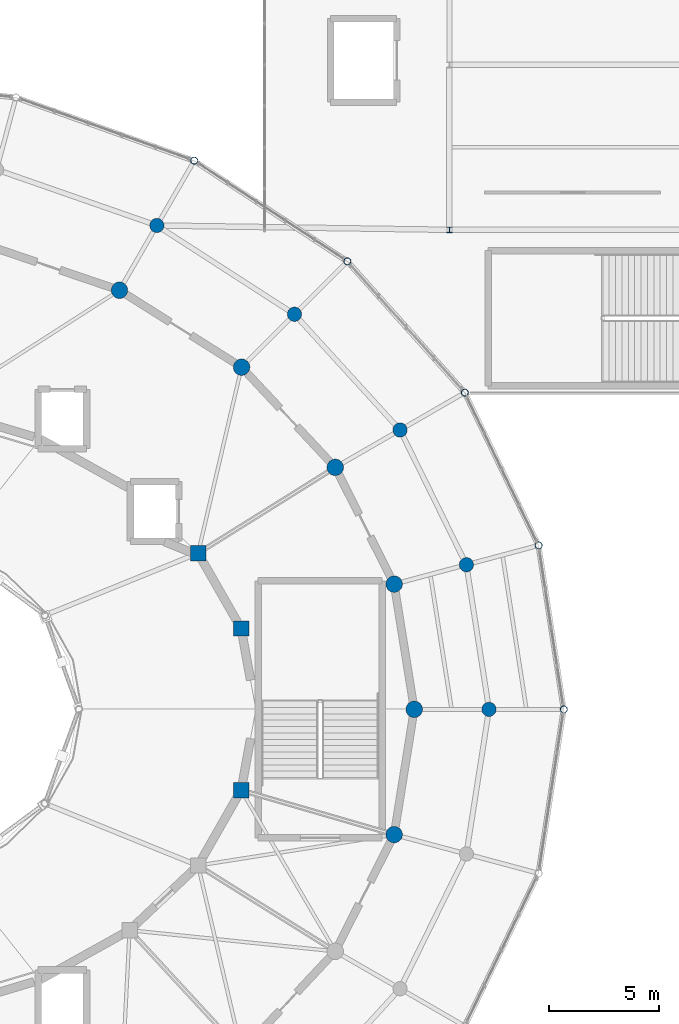
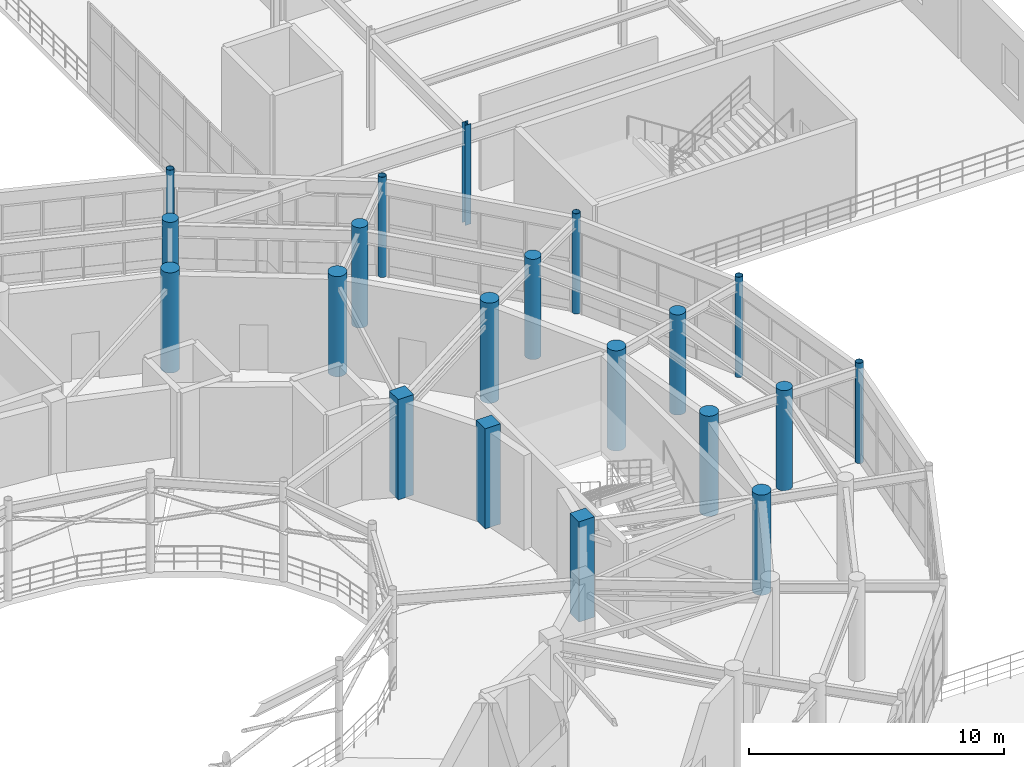
# One storey, part 24 of 144: 20 columns.
"""IFC4 building model written with IfcOpenShell, lengths in metres."""

from ifc_helpers import new_model, si_unit, direction, frame, origin, origin_2d, place, context, subcontext, project, spatial, rectangle, circle, hollow_circle, i_section, extrude, material, material_profile, profile_set, type_object, element, save


model = new_model("IFC4")

# Units and contexts
model_context = context("Model", 3, precision=1e-05, world=origin(), true_north=direction((0.0, 1.0)))
body_context = subcontext(model_context, "Body", "Model", "MODEL_VIEW")
ifc_project = project(units=[si_unit("LENGTHUNIT", "METRE"), si_unit("AREAUNIT", "SQUARE_METRE"), si_unit("VOLUMEUNIT", "CUBIC_METRE"), si_unit("PLANEANGLEUNIT", "RADIAN"), si_unit("MASSUNIT", "GRAM", prefix="KILO")], contexts=[model_context])

# Site, building, storey
site_placement = place(None, origin())
site = spatial("IfcSite", under=ifc_project, at=site_placement, CompositionType="ELEMENT")
building_placement = place(site_placement, origin())
building = spatial("IfcBuilding", under=site, at=building_placement, Name="Cinderbank Siding Concert Hall", CompositionType="ELEMENT")
storey_placement = place(building_placement, frame((0.0, 0.0, 5.39990234375)))
storey = spatial("IfcBuildingStorey", under=building, at=storey_placement, Name="L02", CompositionType="ELEMENT", Elevation=5.39990234375)

# Columns
ifc_material_1 = material(Name="Structural steel hollow section AS/NZS 1163 Grade C350L0 (350 MPa)", Category="steel")
ifc_material_profile_1 = material_profile(ifc_material_1, hollow_circle(Radius=0.161865234375, WallThickness=0.0126953125, at=origin_2d()), Name="323.9x12.7CHS", Category="LoadBearing")
ifc_profile_set_1 = profile_set([ifc_material_profile_1], Name="Structural steel hollow section AS/NZS 1163 Grade C350L0 (350 MPa)")
column_type_1 = type_object("IfcColumnType", Name="C-CHS323 323.9x12.7CHS", PredefinedType="COLUMN", material=ifc_profile_set_1)
for number, where, z_axis, x_axis, name in (
    (1, (155.60009765625, 44.0, 0.0), (0.0, 0.0, 1.0), (1.0, 0.0, 0.0), "L02 Column COL-E4-01"),
    (2, (154.455078125, 51.4541015625, 0.0), (0.0, 0.0, 1.0), (1.0, 0.0, 0.0), "L02 Column COL-E4-02"),
    (3, (151.09912109375, 58.39990234375, 0.0), (0.0, 0.0, 1.0), (1.0, 0.0, 0.0), "L02 Column COL-E4-03"),
    (4, (145.759033203125, 64.364990234375, 0.0), (0.0, 0.0, 1.0), (1.0, 0.0, 0.0), "L02 Column COL-E4-04"),
    (5, (138.800048828125, 68.94189453125, 0.0), (0.0, 0.0, 1.0), (1.0, 0.0, 0.0), "L02 Column COL-E4-05"),
):
    element("IfcColumn", number, at=place(storey_placement, frame(where, z_axis=z_axis, x_axis=x_axis)), inside=storey, type_object=column_type_1, Name=name, PredefinedType="COLUMN", context=body_context, shape_type="SweptSolid", body=[
        extrude(hollow_circle(Radius=0.161865234375, WallThickness=0.0126953125, at=origin_2d()), origin(), (0.0, 0.0, 1.0), 4.800048828125),
    ])
ifc_material_2 = material(Name="Reinforced concrete AS 3600 N50 (50 MPa)", Category="concrete")
ifc_material_profile_2 = material_profile(ifc_material_2, rectangle(XDim=0.699951171875, YDim=0.699951171875, at=origin_2d()), Name="RC-COL-700x700", Category="LoadBearing")
ifc_profile_set_2 = profile_set([ifc_material_profile_2], Name="Reinforced concrete AS 3600 N50 (50 MPa)")
column_type_2 = type_object("IfcColumnType", Name="C-RC700 RC-COL-700x700", PredefinedType="COLUMN", material=ifc_profile_set_2)
for number, where, z_axis, x_axis, name in (
    (6, (140.931884765625, 47.675048828125, 0.0), (0.0, 0.0, 1.0), (1.0, 0.0, 0.0), "L02 Column COL-E1-02"),
    (7, (138.97412109375, 51.10009765625, 0.0), (0.0, 0.0, 1.0), (1.0, 0.0, 0.0), "L02 Column COL-E1-03"),
    (8, (140.931884765625, 40.324951171875, 0.0), (0.0, 0.0, 1.0), (1.0, 0.0, 0.0), "L02 Column COL-E1-24"),
):
    element("IfcColumn", number, at=place(storey_placement, frame(where, z_axis=z_axis, x_axis=x_axis)), inside=storey, type_object=column_type_2, Name=name, PredefinedType="COLUMN", context=body_context, shape_type="SweptSolid", body=[
        extrude(rectangle(XDim=0.699951171875, YDim=0.699951171875, at=origin_2d()), origin(), (0.0, 0.0, 1.0), 4.800048828125),
    ])
ifc_material_profile_3 = material_profile(ifc_material_2, circle(Radius=0.324951171875, at=origin_2d()), Name="RC-COL-650DIA", Category="LoadBearing")
ifc_profile_set_3 = profile_set([ifc_material_profile_3], Name="Reinforced concrete AS 3600 N50 (50 MPa)")
column_type_3 = type_object("IfcColumnType", Name="C-RCD650 RC-COL-650DIA", PredefinedType="COLUMN", material=ifc_profile_set_3)
for number, where, z_axis, x_axis, name in (
    (9, (152.199951171875, 44.0, 0.0), (0.0, 0.0, 1.0), (1.0, 0.0, 0.0), "L02 Column COL-E3-01"),
    (10, (151.1708984375, 50.573974609375, 0.0), (0.0, 0.0, 1.0), (1.0, 0.0, 0.0), "L02 Column COL-E3-02"),
    (11, (148.154052734375, 56.699951171875, 0.0), (0.0, 0.0, 1.0), (1.0, 0.0, 0.0), "L02 Column COL-E3-03"),
    (12, (143.35498046875, 61.9609375, 0.0), (0.0, 0.0, 1.0), (1.0, 0.0, 0.0), "L02 Column COL-E3-04"),
    (13, (137.10009765625, 65.9970703125, 0.0), (0.0, 0.0, 1.0), (1.0, 0.0, 0.0), "L02 Column COL-E3-05"),
):
    element("IfcColumn", number, at=place(storey_placement, frame(where, z_axis=z_axis, x_axis=x_axis)), inside=storey, type_object=column_type_3, Name=name, PredefinedType="COLUMN", context=body_context, shape_type="SweptSolid", body=[
        extrude(circle(Radius=0.324951171875, at=origin_2d()), origin(), (0.0, 0.0, 1.0), 4.800048828125),
    ])
ifc_material_profile_4 = material_profile(ifc_material_2, circle(Radius=0.375, at=origin_2d()), Name="RC-COL-750DIA", Category="LoadBearing")
ifc_profile_set_4 = profile_set([ifc_material_profile_4], Name="Reinforced concrete AS 3600 N50 (50 MPa)")
column_type_4 = type_object("IfcColumnType", Name="C-RCD750 RC-COL-750DIA", PredefinedType="COLUMN", material=ifc_profile_set_4)
for number, where, z_axis, x_axis, name in (
    (14, (148.800048828125, 44.0, 0.0), (0.0, 0.0, 1.0), (1.0, 0.0, 0.0), "L02 Column COL-E2-01"),
    (15, (147.886962890625, 49.694091796875, 0.0), (0.0, 0.0, 1.0), (1.0, 0.0, 0.0), "L02 Column COL-E2-02"),
    (16, (145.208984375, 55.0, 0.0), (0.0, 0.0, 1.0), (1.0, 0.0, 0.0), "L02 Column COL-E2-03"),
    (17, (140.950927734375, 59.555908203125, 0.0), (0.0, 0.0, 1.0), (1.0, 0.0, 0.0), "L02 Column COL-E2-04"),
    (18, (135.39990234375, 63.052978515625, 0.0), (0.0, 0.0, 1.0), (1.0, 0.0, 0.0), "L02 Column COL-E2-05"),
    (19, (147.886962890625, 38.305908203125, 0.0), (0.0, 0.0, 1.0), (1.0, 0.0, 0.0), "L02 Column COL-E2-24"),
):
    element("IfcColumn", number, at=place(storey_placement, frame(where, z_axis=z_axis, x_axis=x_axis)), inside=storey, type_object=column_type_4, Name=name, PredefinedType="COLUMN", context=body_context, shape_type="SweptSolid", body=[
        extrude(circle(Radius=0.375, at=origin_2d()), origin(), (0.0, 0.0, 1.0), 4.800048828125),
    ])
ifc_material_3 = material(Name="Structural steel AS/NZS 3679.1 Grade 350 (340 MPa)", Category="steel")
ifc_material_profile_5 = material_profile(ifc_material_3, i_section(OverallWidth=0.25390625, OverallDepth=0.25390625, WebThickness=0.008544921875, FlangeThickness=0.01416015625, at=origin_2d()), Name="250UC72.9", Category="LoadBearing")
ifc_profile_set_5 = profile_set([ifc_material_profile_5], Name="Structural steel AS/NZS 3679.1 Grade 350 (340 MPa)")
column_type_5 = type_object("IfcColumnType", Name="C-UC250 250UC72.9", PredefinedType="COLUMN", material=ifc_profile_set_5)
column_placement = place(storey_placement, frame((150.39990234375, 65.800048828125, 0.0), z_axis=(0.0, 0.0, 1.0), x_axis=(1.0, 0.0, 0.0)))
element("IfcColumn", 20, at=column_placement, inside=storey, type_object=column_type_5, Name="L02 Column COL-EL-1-1", PredefinedType="COLUMN", context=body_context, shape_type="SweptSolid", body=[
    extrude(i_section(OverallWidth=0.25390625, OverallDepth=0.25390625, WebThickness=0.008544921875, FlangeThickness=0.01416015625, at=origin_2d()), origin(), (0.0, 0.0, 1.0), 4.800048828125),
])

save(model, "model.ifc")
